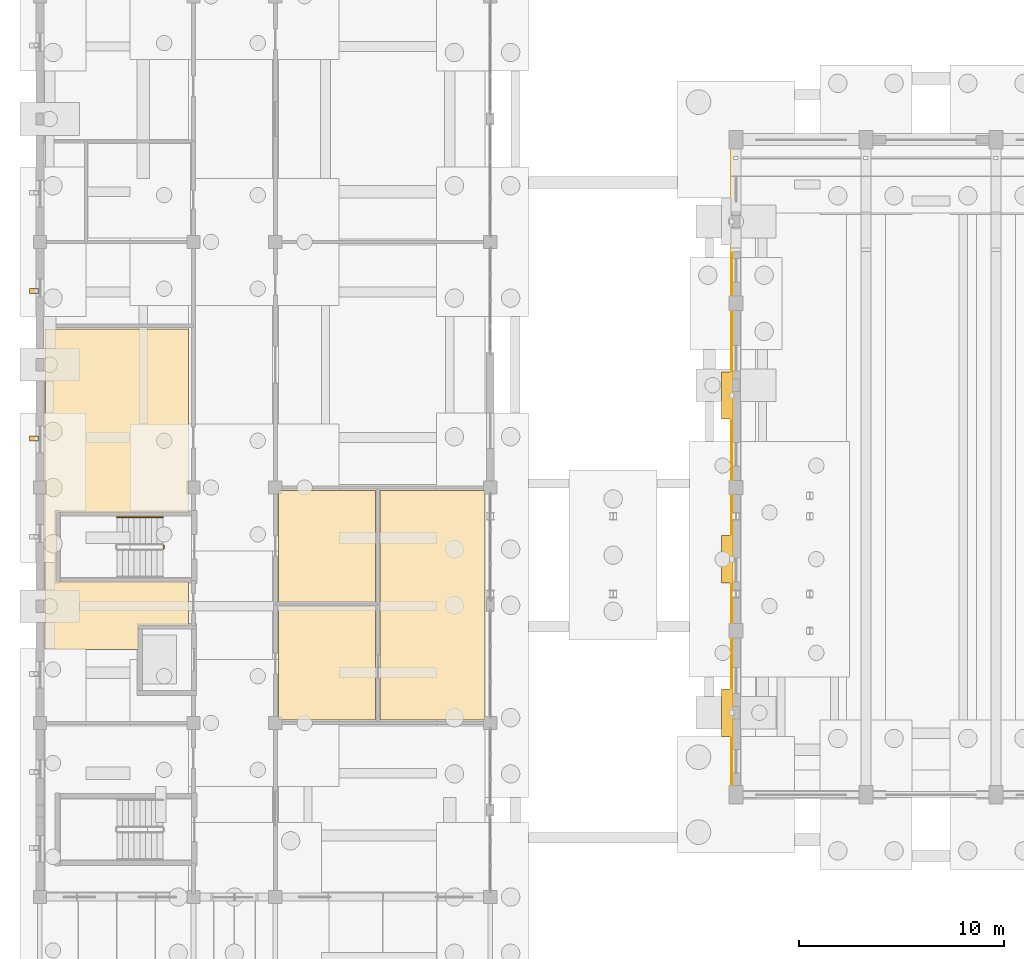
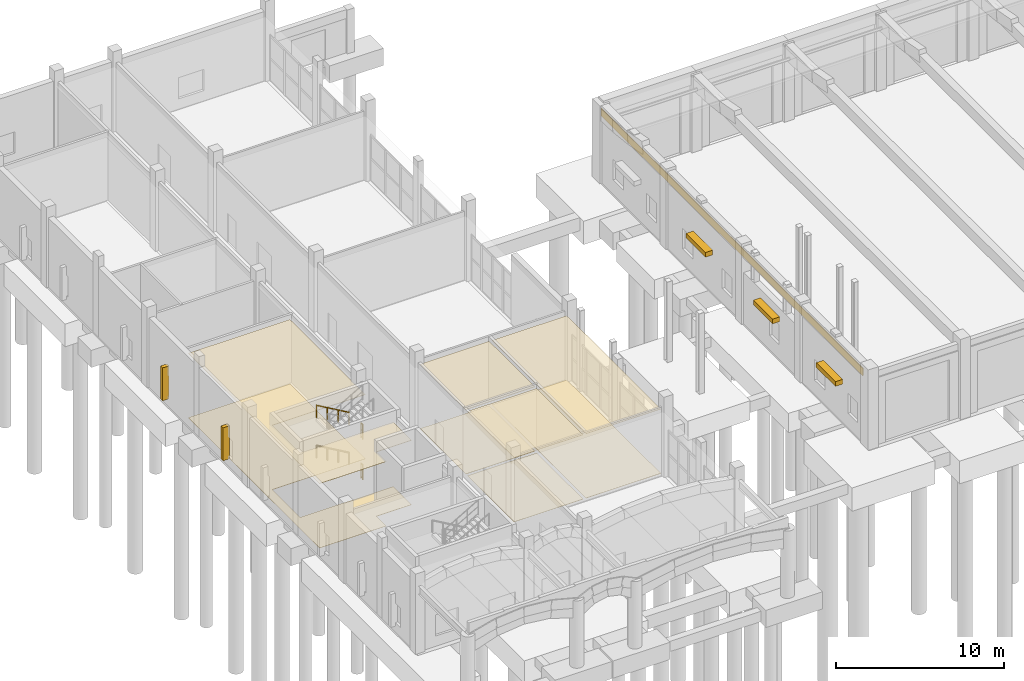
# One storey, part 51 of 60: 9 coverings, 5 shading devices, 4 railings.
"""IFC4 building model written with IfcOpenShell, lengths in metres."""

from ifc_helpers import new_model, si_unit, direction, frame, origin, origin_2d, place, context, subcontext, project, spatial, polyline, rectangle, circle, outline, extrude, material, layer, layer_set, type_object, element, save


model = new_model("IFC4")

# Units and contexts
model_context = context("Model", 3, precision=1e-05, world=origin(), true_north=direction((0.0, 1.0)))
body_context = subcontext(model_context, "Body", "Model", "MODEL_VIEW")
ifc_project = project(units=[si_unit("LENGTHUNIT", "METRE"), si_unit("AREAUNIT", "SQUARE_METRE"), si_unit("VOLUMEUNIT", "CUBIC_METRE"), si_unit("PLANEANGLEUNIT", "RADIAN"), si_unit("MASSUNIT", "GRAM", prefix="KILO")], contexts=[model_context])

# Site, building, storey
site_placement = place(None, origin())
site = spatial("IfcSite", under=ifc_project, at=site_placement, CompositionType="ELEMENT")
building_placement = place(site_placement, origin())
building = spatial("IfcBuilding", under=site, at=building_placement, Name="Trellovar Central Fire Station", CompositionType="ELEMENT")
storey_placement = place(building_placement, origin())
storey = spatial("IfcBuildingStorey", under=building, at=storey_placement, Name="L01", CompositionType="ELEMENT", Elevation=0.0)

# Coverings
ifc_material_1 = material(Name="Glazed ceramic trencadis and terracotta panel", Category="masonry")
ifc_layer_1 = layer(ifc_material_1, 0.044921875)
ifc_layer_set_1 = layer_set([ifc_layer_1], Name="Glazed ceramic trencadis and terracotta panel")
covering_type_1 = type_object("IfcCoveringType", Name="COV-CLD1", PredefinedType="CLADDING", material=ifc_layer_set_1)
covering_1_placement = place(storey_placement, frame((34.7900390625, 30.0, 4.875), z_axis=(0.0, 0.0, 1.0), x_axis=(1.0, 0.0, 0.0)))
element("IfcCovering", 1, at=covering_1_placement, inside=storey, type_object=covering_type_1, Name="V1 W gable ceramic trencadis frieze", PredefinedType="CLADDING", context=body_context, shape_type="SweptSolid", body=[
    extrude(rectangle(XDim=0.044921875, YDim=31.199951171875, at=origin_2d()), origin(), (0.0, 0.0, 1.0), 0.550048828125),
])
ifc_material_2 = material(Name="Perforated acoustic mineral fiber ceiling tile", Category="mineral")
ifc_layer_2 = layer(ifc_material_2, 0.02490234375)
ifc_layer_set_2 = layer_set([ifc_layer_2], Name="Perforated acoustic mineral fiber ceiling tile")
covering_type_2 = type_object("IfcCoveringType", Name="COV-CLG1", PredefinedType="CEILING", material=ifc_layer_set_2)
covering_2_placement = place(storey_placement, frame((0.0, 0.0, 4.679931640625)))
element("IfcCovering", 2, at=covering_2_placement, inside=storey, type_object=covering_type_2, Name="PPE Extractor and Drying Laundry Room suspended ceiling", PredefinedType="CEILING", context=body_context, shape_type="SweptSolid", body=[
    extrude(outline(polyline([(17.39990234375, 17.64990234375), (12.64990234375, 17.64990234375), (12.64990234375, 23.199951171875), (17.39990234375, 23.199951171875), (17.39990234375, 17.64990234375)])), origin(), (0.0, 0.0, 1.0), 0.025146484375),
])
covering_3_placement = place(storey_placement, frame((0.0, 0.0, 4.679931640625)))
element("IfcCovering", 3, at=covering_3_placement, inside=storey, type_object=covering_type_2, Name="SCBA Compressor and Cascade Fill Room suspended ceiling", PredefinedType="CEILING", context=body_context, shape_type="SweptSolid", body=[
    extrude(outline(polyline([(22.75, 17.64990234375), (17.60009765625, 17.64990234375), (17.60009765625, 28.85009765625), (22.75, 28.85009765625), (22.75, 17.64990234375)])), origin(), (0.0, 0.0, 1.0), 0.025146484375),
])
covering_4_placement = place(storey_placement, frame((0.0, 0.0, 4.679931640625)))
element("IfcCovering", 4, at=covering_4_placement, inside=storey, type_object=covering_type_2, Name="Clean Green Zone Changing Lounge suspended ceiling", PredefinedType="CEILING", context=body_context, shape_type="SweptSolid", body=[
    extrude(outline(polyline([(8.25, 27.760009765625), (1.840087890625, 27.760009765625), (1.840087890625, 24.43994140625), (8.25, 24.43994140625), (8.25, 22.260009765625), (5.840087890625, 22.260009765625), (5.840087890625, 21.10009765625), (1.25, 21.10009765625), (1.25, 36.75), (8.25, 36.75), (8.25, 27.760009765625)])), origin(), (0.0, 0.0, 1.0), 0.025146484375),
])
ifc_material_3 = material(Name="Moisture-resistant gypsum ceiling board", Category="gypsum")
ifc_layer_3 = layer(ifc_material_3, 0.030029296875)
ifc_layer_set_3 = layer_set([ifc_layer_3], Name="Moisture-resistant gypsum ceiling board")
covering_type_3 = type_object("IfcCoveringType", Name="COV-CLG2", PredefinedType="CEILING", material=ifc_layer_set_3)
covering_5_placement = place(storey_placement, frame((0.0, 0.0, 4.679931640625)))
element("IfcCovering", 5, at=covering_5_placement, inside=storey, type_object=covering_type_3, Name="Amber Transition Shower Suite suspended ceiling", PredefinedType="CEILING", context=body_context, shape_type="SweptSolid", body=[
    extrude(outline(polyline([(17.39990234375, 23.39990234375), (12.64990234375, 23.39990234375), (12.64990234375, 28.85009765625), (17.39990234375, 28.85009765625), (17.39990234375, 23.39990234375)])), origin(), (0.0, 0.0, 1.0), 0.030029296875),
])
ifc_material_4 = material(Name="Vitrified Catalan ceramic floor tile", Category="masonry")
ifc_layer_4 = layer(ifc_material_4, 0.01806640625)
ifc_layer_set_4 = layer_set([ifc_layer_4], Name="Vitrified Catalan ceramic floor tile")
covering_type_4 = type_object("IfcCoveringType", Name="COV-FLR2", PredefinedType="FLOORING", material=ifc_layer_set_4)
covering_6_placement = place(storey_placement, origin())
element("IfcCovering", 6, at=covering_6_placement, inside=storey, type_object=covering_type_4, Name="PPE Extractor and Drying Laundry Room floor finish", PredefinedType="FLOORING", context=body_context, shape_type="SweptSolid", body=[
    extrude(outline(polyline([(17.39990234375, 17.64990234375), (12.64990234375, 17.64990234375), (12.64990234375, 23.199951171875), (17.39990234375, 23.199951171875), (17.39990234375, 17.64990234375)])), origin(), (0.0, 0.0, 1.0), 0.01806640625),
])
covering_7_placement = place(storey_placement, origin())
element("IfcCovering", 7, at=covering_7_placement, inside=storey, type_object=covering_type_4, Name="SCBA Compressor and Cascade Fill Room floor finish", PredefinedType="FLOORING", context=body_context, shape_type="SweptSolid", body=[
    extrude(outline(polyline([(22.75, 17.64990234375), (17.60009765625, 17.64990234375), (17.60009765625, 28.85009765625), (22.75, 28.85009765625), (22.75, 17.64990234375)])), origin(), (0.0, 0.0, 1.0), 0.01806640625),
])
covering_8_placement = place(storey_placement, origin())
element("IfcCovering", 8, at=covering_8_placement, inside=storey, type_object=covering_type_4, Name="Amber Transition Shower Suite floor finish", PredefinedType="FLOORING", context=body_context, shape_type="SweptSolid", body=[
    extrude(outline(polyline([(17.39990234375, 23.39990234375), (12.64990234375, 23.39990234375), (12.64990234375, 28.85009765625), (17.39990234375, 28.85009765625), (17.39990234375, 23.39990234375)])), origin(), (0.0, 0.0, 1.0), 0.01806640625),
])
covering_9_placement = place(storey_placement, origin())
element("IfcCovering", 9, at=covering_9_placement, inside=storey, type_object=covering_type_4, Name="Clean Green Zone Changing Lounge floor finish", PredefinedType="FLOORING", context=body_context, shape_type="SweptSolid", body=[
    extrude(outline(polyline([(8.25, 27.760009765625), (1.840087890625, 27.760009765625), (1.840087890625, 24.43994140625), (8.25, 24.43994140625), (8.25, 22.260009765625), (5.840087890625, 22.260009765625), (5.840087890625, 21.10009765625), (1.25, 21.10009765625), (1.25, 36.75), (8.25, 36.75), (8.25, 27.760009765625)])), origin(), (0.0, 0.0, 1.0), 0.01806640625),
])

# Railings
ifc_material_5 = material(Name="Patina bronze wrought metalwork", Category="metal")
ifc_layer_5 = layer(ifc_material_5, 0.048095703125)
ifc_layer_set_5 = layer_set([ifc_layer_5], Name="Patina bronze wrought metalwork")
railing_type_1 = type_object("IfcRailingType", Name="RL-STAIR", PredefinedType="HANDRAIL", material=ifc_layer_set_5)
railing_1_placement = place(storey_placement, frame((7.0, 27.550048828125, 0.16259765625)))
element("IfcRailing", 10, at=railing_1_placement, inside=storey, type_object=railing_type_1, Name="L01 ST-04 stair handrail 1", PredefinedType="HANDRAIL", context=body_context, shape_type="SweptSolid", body=[
    extrude(circle(Radius=0.02392578125, at=origin_2d()), frame((0.0, 0.0, 0.8759765625), z_axis=(-0.864928887719, 0.0, 0.501894430323), x_axis=(0.0, -1.0, 0.0)), (0.0, 0.0, 1.0), 2.58984375),
    extrude(circle(Radius=0.02099609375, at=origin_2d()), origin(), (0.0, 0.0, 1.0), 0.851806640625),
    extrude(circle(Radius=0.02099609375, at=origin_2d()), frame((-0.74658203125, 0.0, 0.433349609375)), (0.0, 0.0, 1.0), 0.851806640625),
    extrude(circle(Radius=0.02099609375, at=origin_2d()), frame((-1.493408203125, 0.0, 0.866455078125)), (0.0, 0.0, 1.0), 0.851806640625),
    extrude(circle(Radius=0.02099609375, at=origin_2d()), frame((-2.239990234375, 0.0, 1.2998046875)), (0.0, 0.0, 1.0), 0.851806640625),
])
railing_2_placement = place(storey_placement, frame((7.0, 27.550048828125, 3.08740234375)))
element("IfcRailing", 11, at=railing_2_placement, inside=storey, type_object=railing_type_1, Name="L01 ST-04 stair handrail 3", PredefinedType="HANDRAIL", context=body_context, shape_type="SweptSolid", body=[
    extrude(circle(Radius=0.02392578125, at=origin_2d()), frame((0.0, 0.0, 0.8759765625), z_axis=(-0.864887963814, 0.0, 0.501964949025), x_axis=(0.0, -1.0, 0.0)), (0.0, 0.0, 1.0), 2.58984375),
    extrude(circle(Radius=0.02099609375, at=origin_2d()), origin(), (0.0, 0.0, 1.0), 0.851806640625),
    extrude(circle(Radius=0.02099609375, at=origin_2d()), frame((-0.74658203125, 0.0, 0.433349609375)), (0.0, 0.0, 1.0), 0.851806640625),
    extrude(circle(Radius=0.02099609375, at=origin_2d()), frame((-1.493408203125, 0.0, 0.86669921875)), (0.0, 0.0, 1.0), 0.851806640625),
    extrude(circle(Radius=0.02099609375, at=origin_2d()), frame((-2.239990234375, 0.0, 1.300048828125)), (0.0, 0.0, 1.0), 0.851806640625),
])
ifc_material_6 = material(Name="Patina bronze wrought metalwork", Category="metal")
ifc_layer_6 = layer(ifc_material_6, 0.050048828125)
ifc_layer_set_6 = layer_set([ifc_layer_6], Name="Patina bronze wrought metalwork")
railing_type_2 = type_object("IfcRailingType", Name="RL-STGUARD", PredefinedType="GUARDRAIL", material=ifc_layer_set_6)
for number, where, name in (
    (12, (7.050048828125, 26.199951171875, 2.925048828125), "L01 ST-04 stair guard 4"),
    (13, (7.050048828125, 26.199951171875, 0.0), "L01 ST-04 stair guard 8"),
):
    element("IfcRailing", number, at=place(storey_placement, frame(where)), inside=storey, type_object=railing_type_2, Name=name, PredefinedType="GUARDRAIL", context=body_context, shape_type="SweptSolid", body=[
        extrude(circle(Radius=0.02392578125, at=origin_2d()), frame((0.0, 0.0, 1.076171875), z_axis=(0.0, -1.0, 0.0), x_axis=(1.0, 0.0, 0.0)), (0.0, 0.0, 1.0), 0.199951171875),
        extrude(circle(Radius=0.015625, at=origin_2d()), frame((0.0, 0.0, 0.10009765625), z_axis=(0.0, -1.0, 0.0), x_axis=(1.0, 0.0, 0.0)), (0.0, 0.0, 1.0), 0.199951171875),
        extrude(circle(Radius=0.015625, at=origin_2d()), frame((0.0, 0.0, 0.60498046875), z_axis=(0.0, -1.0, 0.0), x_axis=(1.0, 0.0, 0.0)), (0.0, 0.0, 1.0), 0.199951171875),
        extrude(circle(Radius=0.02099609375, at=origin_2d()), origin(), (0.0, 0.0, 1.0), 1.052001953125),
        extrude(circle(Radius=0.02099609375, at=origin_2d()), frame((0.0, -0.199951171875, 0.0)), (0.0, 0.0, 1.0), 1.052001953125),
    ])

# Shading devices
ifc_material_7 = material(Name="Glazed ceramic trencadis and terracotta panel", Category="masonry")
shading_device_type_1 = type_object("IfcShadingDeviceType", Name="SHD-LV1", PredefinedType="JALOUSIE", material=ifc_material_7)
for number, where, z_axis, x_axis, name in (
    (14, (34.554931640625, 18.0, 2.77978515625), (0.0, 0.0, 1.0), (0.0, 1.0, 0.0), "L01 Catalan solar brise-soleil LV-1"),
    (15, (34.554931640625, 25.5, 2.77978515625), (0.0, 0.0, 1.0), (0.0, 1.0, 0.0), "L01 Catalan solar brise-soleil LV-1"),
    (16, (34.554931640625, 33.5, 2.77978515625), (0.0, 0.0, 1.0), (0.0, 1.0, 0.0), "L01 Catalan solar brise-soleil LV-1"),
):
    element("IfcShadingDevice", number, at=place(storey_placement, frame(where, z_axis=z_axis, x_axis=x_axis)), inside=storey, type_object=shading_device_type_1, Name=name, PredefinedType="JALOUSIE", context=body_context, shape_type="SweptSolid", body=[
        extrude(rectangle(XDim=2.300048828125, YDim=0.5, at=origin_2d()), origin(), (0.0, 0.0, 1.0), 0.340087890625),
    ])
ifc_material_8 = material(Name="Patina bronze wrought metalwork", Category="metal")
shading_device_type_2 = type_object("IfcShadingDeviceType", Name="SHD-LV2", PredefinedType="SHUTTER", material=ifc_material_8)
for number, where, z_axis, x_axis, name in (
    (17, (0.705078125, 31.39990234375, 0.449951171875), (0.0, 0.0, 1.0), (1.0, 0.0, 0.0), "L01 Catalan solar brise-soleil LV-2"),
    (18, (0.705078125, 38.60009765625, 0.449951171875), (0.0, 0.0, 1.0), (1.0, 0.0, 0.0), "L01 Catalan solar brise-soleil LV-2"),
):
    element("IfcShadingDevice", number, at=place(storey_placement, frame(where, z_axis=z_axis, x_axis=x_axis)), inside=storey, type_object=shading_device_type_2, Name=name, PredefinedType="SHUTTER", context=body_context, shape_type="SweptSolid", body=[
        extrude(rectangle(XDim=0.449951171875, YDim=0.239990234375, at=origin_2d()), origin(), (0.0, 0.0, 1.0), 2.39990234375),
    ])

save(model, "model.ifc")
